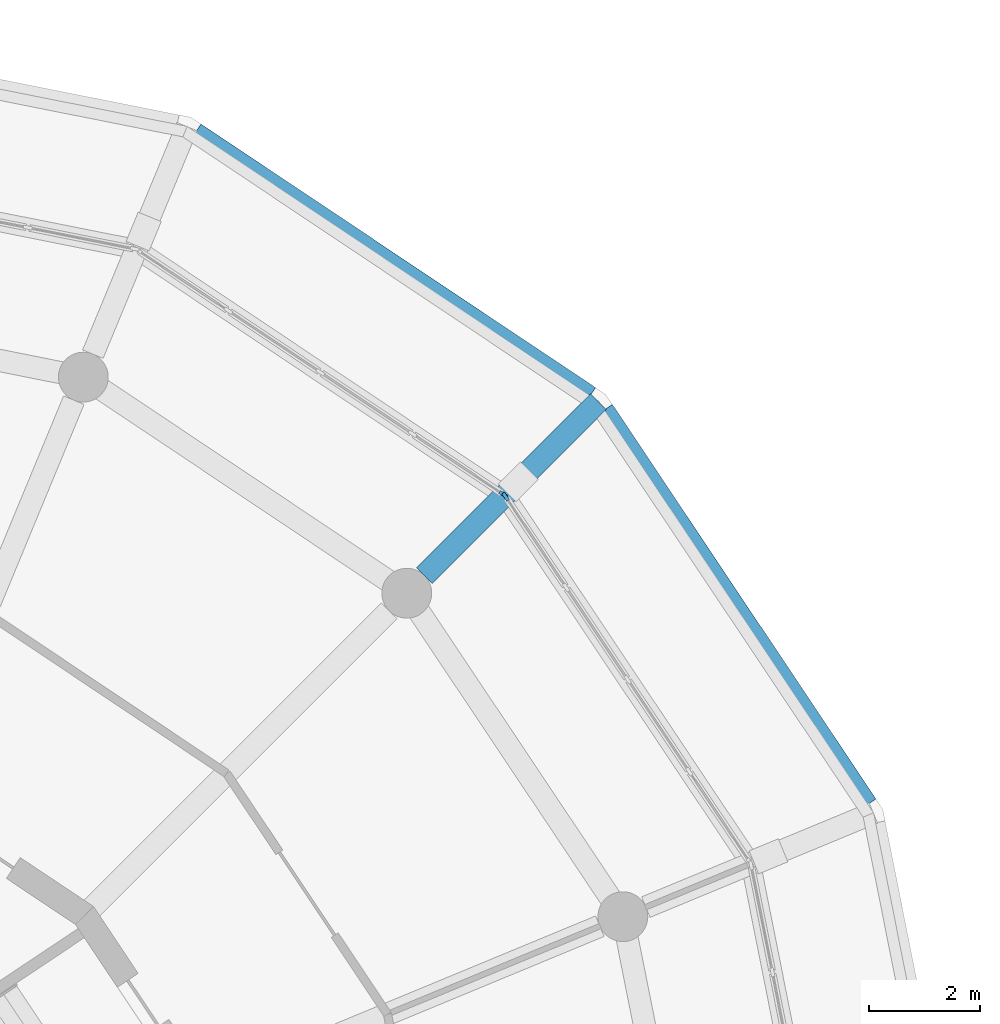
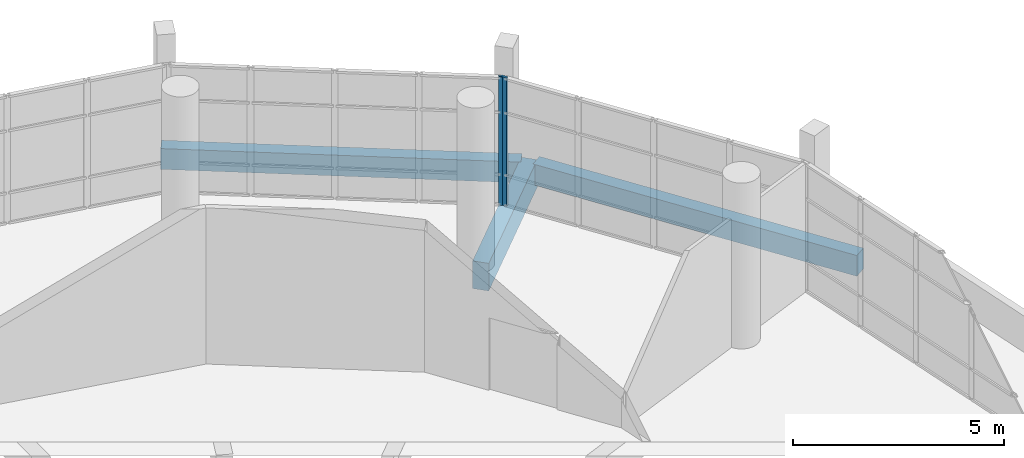
# One storey, part 11 of 21: 3 beams, 2 members, 2 elements without a shape of their own.
"""IFC4 building model written with IfcOpenShell, lengths in metres."""

from ifc_helpers import new_model, si_unit, direction, frame, origin, origin_2d, place, context, subcontext, project, spatial, rectangle, extrude, material, material_profile, profile_set, type_object, element, aggregate, save


model = new_model("IFC4")

# Units and contexts
model_context = context("Model", 3, precision=1e-05, world=origin(), true_north=direction((0.0, 1.0)))
body_context = subcontext(model_context, "Body", "Model", "MODEL_VIEW")
ifc_project = project(units=[si_unit("LENGTHUNIT", "METRE"), si_unit("AREAUNIT", "SQUARE_METRE"), si_unit("VOLUMEUNIT", "CUBIC_METRE"), si_unit("PLANEANGLEUNIT", "RADIAN"), si_unit("MASSUNIT", "GRAM", prefix="KILO")], contexts=[model_context])

# Site, building, storey
site_placement = place(None, origin())
site = spatial("IfcSite", under=ifc_project, at=site_placement, CompositionType="ELEMENT")
building_placement = place(site_placement, origin())
building = spatial("IfcBuilding", under=site, at=building_placement, Name="Ceibo Conservatory and Research Tower", CompositionType="ELEMENT")
storey_placement = place(building_placement, frame((0.0, 0.0, 15.60009765625)))
storey = spatial("IfcBuildingStorey", under=building, at=storey_placement, Name="L03", CompositionType="ELEMENT", Elevation=15.60009765625)

# Curtain wall, member
ifc_material_1 = material(Name="Aluminium and glass", Category="aluminium")
curtain_wall_type = type_object("IfcCurtainWallType", Name="Curtain wall CW1", PredefinedType="NOTDEFINED", material=ifc_material_1)
curtain_wall_1_placement = place(storey_placement, origin())
curtain_wall_1 = element("IfcCurtainWall", 1, at=curtain_wall_1_placement, inside=storey, type_object=curtain_wall_type, Name="CW-03.02", PredefinedType="NOTDEFINED")
ifc_material_2 = material(Name="Aluminium", Category="aluminium")
ifc_material_profile_1 = material_profile(ifc_material_2, rectangle(XDim=0.06005859375, YDim=0.159912109375, at=origin_2d()), Name="Aluminium 60 x 160")
ifc_profile_set_1 = profile_set([ifc_material_profile_1], Name="Aluminium")
member_type = type_object("IfcMemberType", Name="Aluminium mullion 60 x 160", PredefinedType="MULLION", material=ifc_profile_set_1)
member_1_placement = place(storey_placement, frame((62.512451171875, 134.470703125, 0.0), z_axis=(0.0, 0.0, 1.0), x_axis=(-0.831469649004, -0.555570178092, 0.0)))
member_1 = element("IfcMember", 2, at=member_1_placement, type_object=member_type, Name="CW-03.02 mullion 5", PredefinedType="MULLION", context=body_context, shape_type="SweptSolid", body=[
    extrude(rectangle(XDim=0.06005859375, YDim=0.159912109375, at=origin_2d()), origin(), (0.0, 0.0, 1.0), 3.719970703125),
])
aggregate(curtain_wall_1, [member_1])

curtain_wall_2_placement = place(storey_placement, origin())
curtain_wall_2 = element("IfcCurtainWall", 3, at=curtain_wall_2_placement, inside=storey, type_object=curtain_wall_type, Name="CW-03.03", PredefinedType="NOTDEFINED")
member_2_placement = place(storey_placement, frame((62.470703125, 134.512451171875, 0.0), z_axis=(0.0, 0.0, 1.0), x_axis=(-0.555570178092, -0.831469649004, 0.0)))
member_2 = element("IfcMember", 4, at=member_2_placement, type_object=member_type, Name="CW-03.03 mullion 1", PredefinedType="MULLION", context=body_context, shape_type="SweptSolid", body=[
    extrude(rectangle(XDim=0.06005859375, YDim=0.159912109375, at=origin_2d()), origin(), (0.0, 0.0, 1.0), 3.719970703125),
])
aggregate(curtain_wall_2, [member_2])

# Beams
ifc_material_3 = material(Name="Concrete C35/45", Category="concrete")
ifc_material_profile_2 = material_profile(ifc_material_3, rectangle(XDim=0.35009765625, YDim=0.60009765625, at=origin_2d()), Name="RC 350x600")
ifc_profile_set_2 = profile_set([ifc_material_profile_2], Name="Concrete C35/45")
beam_type_1 = type_object("IfcBeamType", Name="RC beam 350x600 C35", PredefinedType="BEAM", material=ifc_profile_set_2)
for number, where, z_axis, x_axis, name in (
    (5, (69.0546875, 128.916259765625, -0.580078125), (-0.555567941866, 0.831471143198, 0.0), (-0.831471143198, -0.555567941866, 0.0), "Edge beam 02 L03"),
    (6, (64.039794921875, 136.294921875, -0.580078125), (-0.831471143198, 0.555567941866, 0.0), (-0.555567941866, -0.831471143198, 0.0), "Edge beam 03 L03"),
):
    element("IfcBeam", number, at=place(storey_placement, frame(where, z_axis=z_axis, x_axis=x_axis)), inside=storey, type_object=beam_type_1, Name=name, PredefinedType="BEAM", context=body_context, shape_type="SweptSolid", body=[
        extrude(rectangle(XDim=0.35009765625, YDim=0.60009765625, at=origin_2d()), origin(), (0.0, 0.0, 1.0), 8.5673828125),
    ])
ifc_material_profile_3 = material_profile(ifc_material_3, rectangle(XDim=0.39990234375, YDim=0.800048828125, at=origin_2d()), Name="RC 400x800")
ifc_profile_set_3 = profile_set([ifc_material_profile_3], Name="Concrete C35/45")
beam_type_2 = type_object("IfcBeamType", Name="RC cantilever beam 400x800 C35", PredefinedType="BEAM", material=ifc_profile_set_3)
beam_placement = place(storey_placement, frame((61.046142578125, 133.046142578125, -0.68017578125), z_axis=(0.707106781187, 0.707106781187, 0.0), x_axis=(-0.707106781187, 0.707106781187, 0.0)))
element("IfcBeam", 7, at=beam_placement, inside=storey, type_object=beam_type_2, Name="Radial cantilever beam R3 L03", PredefinedType="BEAM", context=body_context, shape_type="SweptSolid", body=[
    extrude(rectangle(XDim=0.39990234375, YDim=0.800048828125, at=origin_2d()), origin(), (0.0, 0.0, 1.0), 4.445068359375),
])

save(model, "model.ifc")
